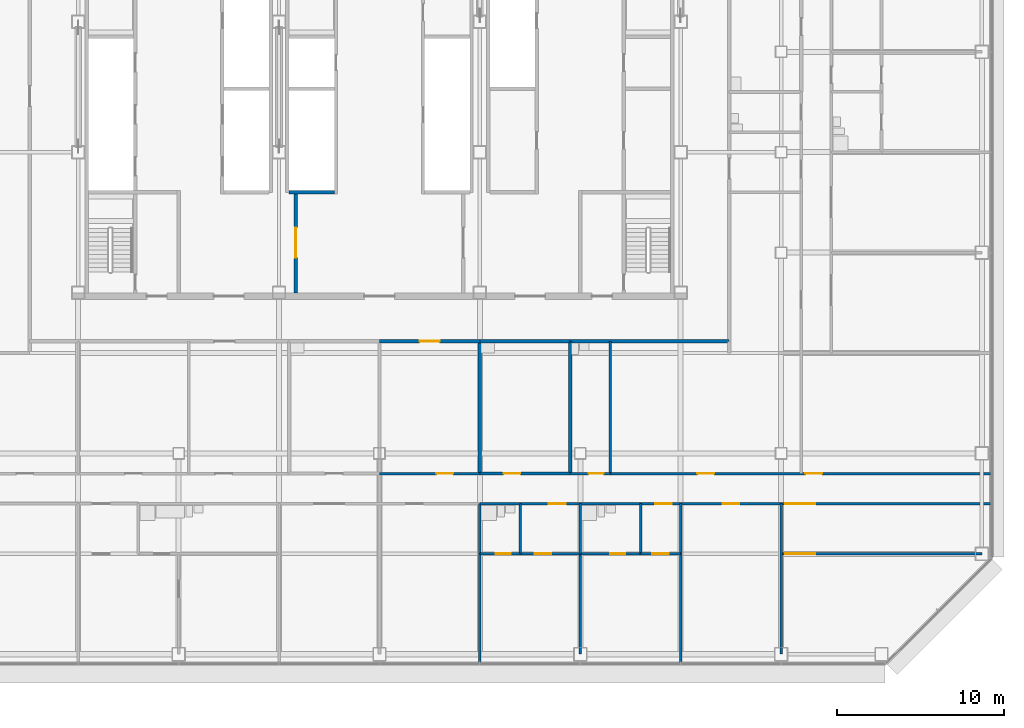
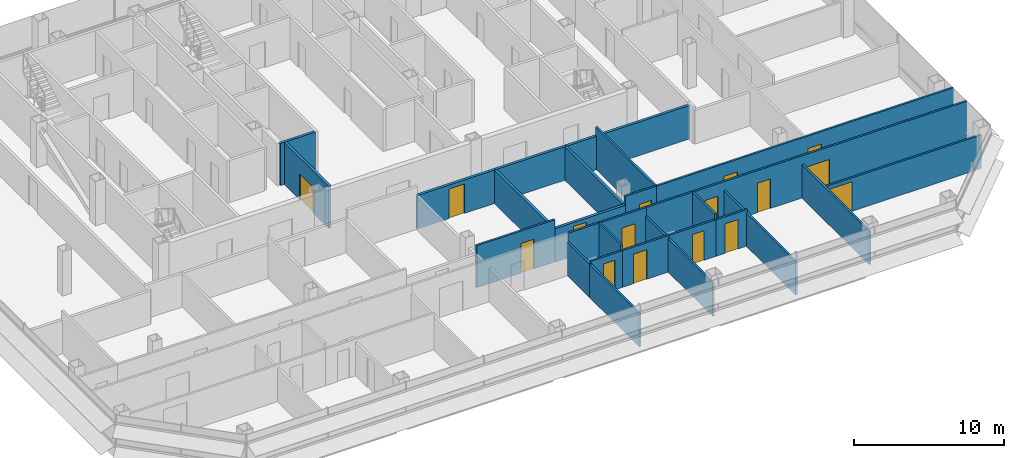
# One storey, part 20 of 25: 29 walls, 16 doors, 16 openings.
"""IFC4 building model written with IfcOpenShell, lengths in metres."""

from ifc_helpers import new_model, si_unit, direction, frame, frame_2d, origin, place, context, subcontext, project, spatial, rectangle, extrude, material, layer, layer_set, type_object, element, fill, save


model = new_model("IFC4")

# Units and contexts
model_context = context("Model", 3, precision=1e-05, world=origin(), true_north=direction((0.0, 1.0)))
body_context = subcontext(model_context, "Body", "Model", "MODEL_VIEW")
ifc_project = project(units=[si_unit("LENGTHUNIT", "METRE"), si_unit("AREAUNIT", "SQUARE_METRE"), si_unit("VOLUMEUNIT", "CUBIC_METRE"), si_unit("PLANEANGLEUNIT", "RADIAN"), si_unit("MASSUNIT", "GRAM", prefix="KILO")], contexts=[model_context])

# Site, building, storey
site_placement = place(None, origin())
site = spatial("IfcSite", under=ifc_project, at=site_placement, CompositionType="ELEMENT")
building_placement = place(site_placement, origin())
building = spatial("IfcBuilding", under=site, at=building_placement, Name="Sorahane Residences", CompositionType="ELEMENT")
storey_placement = place(building_placement, frame((0.0, 0.0, 126.800048828125)))
storey = spatial("IfcBuildingStorey", under=building, at=storey_placement, Name="L28", CompositionType="ELEMENT", Elevation=126.800048828125)

# Wall, opening, door
ifc_material_1 = material(Name="Concrete blockwork C20 wall", Category="masonry")
ifc_layer_1 = layer(ifc_material_1, 0.199951171875)
ifc_layer_set_1 = layer_set([ifc_layer_1], Name="Corridor wall 200 EI 120")
wall_type_1 = type_object("IfcWallType", Name="Corridor wall 200 EI 120", PredefinedType="SOLIDWALL", material=ifc_layer_set_1)
wall_1_placement = place(storey_placement, frame((24.0, 18.699951171875, 0.0), z_axis=(0.0, 0.0, 1.0), x_axis=(1.0, 0.0, 0.0)))
wall_1 = element("IfcWall", 1, at=wall_1_placement, inside=storey, type_object=wall_type_1, Name="L28 corridor wall", PredefinedType="SOLIDWALL", context=body_context, shape_type="SweptSolid", body=[
    extrude(rectangle(XDim=6.0, YDim=0.199951171875, at=frame_2d((3.0, 0.0))), origin(), (0.0, 0.0, 1.0), 2.719970703125),
])
opening_1_placement = place(wall_1_placement, frame((2.39990234375, 0.0, 0.0)))
opening_1 = element("IfcOpeningElement", 2, at=opening_1_placement, cuts=wall_1, Name="Opening L28-41", PredefinedType="OPENING", context=body_context, shape_type="SweptSolid", body=[
    extrude(rectangle(XDim=1.199951171875, YDim=2.39990234375, at=frame_2d((0.60009765625, 1.199951171875))), frame((0.0, 0.10986328125, 0.0), z_axis=(0.0, -1.0, 0.0), x_axis=(1.0, 0.0, 0.0)), (0.0, 0.0, 1.0), 0.219970703125),
])
ifc_material_2 = material(Name="Timber veneered fire door", Category="wood")
door_type_1 = type_object("IfcDoorType", Name="Flat entrance door 1200x2400 FD60", OperationType="NOTDEFINED", PredefinedType="DOOR", material=ifc_material_2)
door_1_placement = place(opening_1_placement, frame((1.199951171875, 0.0, 0.0), z_axis=(0.0, 0.0, 1.0), x_axis=(-1.0, 0.0, 0.0)))
door_1 = element("IfcDoor", 3, at=door_1_placement, inside=storey, type_object=door_type_1, Name="Flat entrance door L28-41", OperationType="SINGLE_SWING_LEFT", OverallHeight=2.39990234375, OverallWidth=1.199951171875, PredefinedType="DOOR", context=body_context, shape_type="SweptSolid", body=[
    extrude(rectangle(XDim=1.199951171875, YDim=2.39990234375, at=frame_2d((0.60009765625, 1.199951171875))), frame((0.0, 0.02490234375, 0.0), z_axis=(0.0, -1.0, 0.0), x_axis=(1.0, 0.0, 0.0)), (0.0, 0.0, 1.0), 0.050048828125),
])
fill(opening_1, door_1)

# Walls
wall_2_placement = place(storey_placement, frame((35.39990234375, 18.699951171875, 0.0), z_axis=(0.0, 0.0, 1.0), x_axis=(1.0, 0.0, 0.0)))
element("IfcWall", 4, at=wall_2_placement, inside=storey, type_object=wall_type_1, Name="L28 corridor wall", PredefinedType="SOLIDWALL", context=body_context, shape_type="SweptSolid", body=[
    extrude(rectangle(XDim=9.5, YDim=0.199951171875, at=frame_2d((4.75, 0.0))), origin(), (0.0, 0.0, 1.0), 2.719970703125),
])
ifc_material_3 = material(Name="Concrete blockwork C20 wall", Category="masonry")
ifc_layer_2 = layer(ifc_material_3, 0.199951171875)
ifc_layer_set_2 = layer_set([ifc_layer_2], Name="Kitchen wall 200 EI 180")
wall_type_2 = type_object("IfcWallType", Name="Kitchen wall 200 EI 180", PredefinedType="SOLIDWALL", material=ifc_layer_set_2)
for number, where, z_axis, x_axis, name in (
    (5, (30.0, 10.800048828125, 0.0), (0.0, 0.0, 1.0), (0.0, 1.0, 0.0), "L28 kitchen wall"),
    (6, (35.39990234375, 10.800048828125, 0.0), (0.0, 0.0, 1.0), (0.0, 1.0, 0.0), "L28 kitchen wall"),
):
    element("IfcWall", number, at=place(storey_placement, frame(where, z_axis=z_axis, x_axis=x_axis)), inside=storey, type_object=wall_type_2, Name=name, PredefinedType="SOLIDWALL", context=body_context, shape_type="SweptSolid", body=[
        extrude(rectangle(XDim=7.89990234375, YDim=0.199951171875, at=frame_2d((3.949951171875, 0.0))), origin(), (0.0, 0.0, 1.0), 2.719970703125),
    ])

# Wall, opening, door
wall_3_placement = place(storey_placement, frame((30.0, 10.800048828125, 0.0), z_axis=(0.0, 0.0, 1.0), x_axis=(1.0, 0.0, 0.0)))
wall_3 = element("IfcWall", 7, at=wall_3_placement, inside=storey, type_object=wall_type_2, Name="L28 kitchen wall", PredefinedType="SOLIDWALL", context=body_context, shape_type="SweptSolid", body=[
    extrude(rectangle(XDim=5.39990234375, YDim=0.199951171875, at=frame_2d((2.699951171875, 0.0))), origin(), (0.0, 0.0, 1.0), 2.719970703125),
])
opening_2_placement = place(wall_3_placement, frame((1.419921875, 0.0, 0.0)))
opening_2 = element("IfcOpeningElement", 8, at=opening_2_placement, cuts=wall_3, Name="Opening L28-14", PredefinedType="OPENING", context=body_context, shape_type="SweptSolid", body=[
    extrude(rectangle(XDim=1.0, YDim=2.39990234375, at=frame_2d((0.5, 1.199951171875))), frame((0.0, 0.10986328125, 0.0), z_axis=(0.0, -1.0, 0.0), x_axis=(1.0, 0.0, 0.0)), (0.0, 0.0, 1.0), 0.219970703125),
])
ifc_material_4 = material(Name="Steel", Category="steel")
door_type_2 = type_object("IfcDoorType", Name="Kitchen door 1000x2400 FD120", OperationType="NOTDEFINED", PredefinedType="DOOR", material=ifc_material_4)
door_2_placement = place(opening_2_placement, origin())
door_2 = element("IfcDoor", 9, at=door_2_placement, inside=storey, type_object=door_type_2, Name="Kitchen door L28-14", OperationType="SINGLE_SWING_RIGHT", OverallHeight=2.39990234375, OverallWidth=1.0, PredefinedType="DOOR", context=body_context, shape_type="SweptSolid", body=[
    extrude(rectangle(XDim=1.0, YDim=2.39990234375, at=frame_2d((0.5, 1.199951171875))), frame((0.0, 0.02490234375, 0.0), z_axis=(0.0, -1.0, 0.0), x_axis=(1.0, 0.0, 0.0)), (0.0, 0.0, 1.0), 0.050048828125),
])
fill(opening_2, door_2)

# Walls
wall_4_placement = place(storey_placement, frame((30.0, 18.699951171875, 0.0), z_axis=(0.0, 0.0, 1.0), x_axis=(1.0, 0.0, 0.0)))
element("IfcWall", 10, at=wall_4_placement, inside=storey, type_object=wall_type_2, Name="L28 kitchen wall", PredefinedType="SOLIDWALL", context=body_context, shape_type="SweptSolid", body=[
    extrude(rectangle(XDim=5.39990234375, YDim=0.199951171875, at=frame_2d((2.699951171875, 0.0))), origin(), (0.0, 0.0, 1.0), 2.719970703125),
])
ifc_material_5 = material(Name="Concrete C30", Category="concrete")
ifc_layer_3 = layer(ifc_material_5, 0.199951171875)
ifc_layer_set_3 = layer_set([ifc_layer_3], Name="Lift shaft wall 200 EI 120")
wall_type_3 = type_object("IfcWallType", Name="Lift shaft wall 200 EI 120", PredefinedType="SOLIDWALL", material=ifc_layer_set_3)
wall_5_placement = place(storey_placement, frame((18.60009765625, 27.60009765625, 0.0), z_axis=(0.0, 0.0, 1.0), x_axis=(1.0, 0.0, 0.0)))
element("IfcWall", 11, at=wall_5_placement, inside=storey, type_object=wall_type_3, Name="L28 lift shaft wall", PredefinedType="SOLIDWALL", context=body_context, shape_type="SweptSolid", body=[
    extrude(rectangle(XDim=2.699951171875, YDim=0.199951171875, at=frame_2d((1.35009765625, 0.0))), origin(), (0.0, 0.0, 1.0), 3.419921875),
])
ifc_material_6 = material(Name="Gypsum board partition on steel studs", Category="steel")
ifc_layer_4 = layer(ifc_material_6, 0.14990234375)
ifc_layer_set_4 = layer_set([ifc_layer_4], Name="Partition 150 EI 90")
wall_type_4 = type_object("IfcWallType", Name="Partition 150 EI 90", PredefinedType="PARTITIONING", material=ifc_layer_set_4)
wall_6_placement = place(storey_placement, frame((30.0, -0.60009765625, 0.0), z_axis=(0.0, 0.0, 1.0), x_axis=(0.0, 1.0, 0.0)))
element("IfcWall", 12, at=wall_6_placement, inside=storey, type_object=wall_type_4, Name="L28 partition", PredefinedType="PARTITIONING", context=body_context, shape_type="SweptSolid", body=[
    extrude(rectangle(XDim=6.60009765625, YDim=0.14990234375, at=frame_2d((3.300048828125, 0.0))), origin(), (0.0, 0.0, 1.0), 2.719970703125),
])
wall_7_placement = place(storey_placement, frame((36.0, 0.0, 0.0), z_axis=(0.0, 0.0, 1.0), x_axis=(0.0, 1.0, 0.0)))
element("IfcWall", 13, at=wall_7_placement, inside=storey, type_object=wall_type_4, Name="L28 partition", PredefinedType="PARTITIONING", context=body_context, shape_type="SweptSolid", body=[
    extrude(rectangle(XDim=6.0, YDim=0.14990234375, at=frame_2d((3.0, 0.0))), origin(), (0.0, 0.0, 1.0), 2.719970703125),
])
wall_8_placement = place(storey_placement, frame((42.0, -0.60009765625, 0.0), z_axis=(0.0, 0.0, 1.0), x_axis=(0.0, 1.0, 0.0)))
element("IfcWall", 14, at=wall_8_placement, inside=storey, type_object=wall_type_4, Name="L28 partition", PredefinedType="PARTITIONING", context=body_context, shape_type="SweptSolid", body=[
    extrude(rectangle(XDim=9.60009765625, YDim=0.14990234375, at=frame_2d((4.800048828125, 0.0))), origin(), (0.0, 0.0, 1.0), 2.719970703125),
])
wall_9_placement = place(storey_placement, frame((48.0, 0.0, 0.0), z_axis=(0.0, 0.0, 1.0), x_axis=(0.0, 1.0, 0.0)))
element("IfcWall", 15, at=wall_9_placement, inside=storey, type_object=wall_type_4, Name="L28 partition", PredefinedType="PARTITIONING", context=body_context, shape_type="SweptSolid", body=[
    extrude(rectangle(XDim=9.0, YDim=0.14990234375, at=frame_2d((4.5, 0.0))), origin(), (0.0, 0.0, 1.0), 2.719970703125),
])

# Wall, opening, door
wall_10_placement = place(storey_placement, frame((24.0, 10.800048828125, 0.0), z_axis=(0.0, 0.0, 1.0), x_axis=(1.0, 0.0, 0.0)))
wall_10 = element("IfcWall", 16, at=wall_10_placement, inside=storey, type_object=wall_type_4, Name="L28 partition", PredefinedType="PARTITIONING", context=body_context, shape_type="SweptSolid", body=[
    extrude(rectangle(XDim=6.0, YDim=0.14990234375, at=frame_2d((3.0, 0.0))), origin(), (0.0, 0.0, 1.0), 3.419921875),
])
opening_3_placement = place(wall_10_placement, frame((3.39990234375, 0.0, 0.0)))
opening_3 = element("IfcOpeningElement", 17, at=opening_3_placement, cuts=wall_10, Name="Opening L28-13", PredefinedType="OPENING", context=body_context, shape_type="SweptSolid", body=[
    extrude(rectangle(XDim=1.0, YDim=2.39990234375, at=frame_2d((0.5, 1.199951171875))), frame((0.0, 0.0849609375, 0.0), z_axis=(0.0, -1.0, 0.0), x_axis=(1.0, 0.0, 0.0)), (0.0, 0.0, 1.0), 0.169921875),
])
ifc_material_7 = material(Name="Timber veneered fire door", Category="wood")
door_type_3 = type_object("IfcDoorType", Name="Room door 1000x2400 FD30", OperationType="NOTDEFINED", PredefinedType="DOOR", material=ifc_material_7)
door_3_placement = place(opening_3_placement, frame((1.0, 0.0, 0.0), z_axis=(0.0, 0.0, 1.0), x_axis=(-1.0, 0.0, 0.0)))
door_3 = element("IfcDoor", 18, at=door_3_placement, inside=storey, type_object=door_type_3, Name="Room door L28-13", OperationType="SINGLE_SWING_RIGHT", OverallHeight=2.39990234375, OverallWidth=1.0, PredefinedType="DOOR", context=body_context, shape_type="SweptSolid", body=[
    extrude(rectangle(XDim=1.0, YDim=2.39990234375, at=frame_2d((0.5, 1.199951171875))), frame((0.0, 0.02490234375, 0.0), z_axis=(0.0, -1.0, 0.0), x_axis=(1.0, 0.0, 0.0)), (0.0, 0.0, 1.0), 0.050048828125),
])
fill(opening_3, door_3)

# Wall, openings, doors
wall_11_placement = place(storey_placement, frame((37.800048828125, 10.800048828125, 0.0), z_axis=(0.0, 0.0, 1.0), x_axis=(1.0, 0.0, 0.0)))
wall_11 = element("IfcWall", 19, at=wall_11_placement, inside=storey, type_object=wall_type_4, Name="L28 partition", PredefinedType="PARTITIONING", context=body_context, shape_type="SweptSolid", body=[
    extrude(rectangle(XDim=22.800048828125, YDim=0.14990234375, at=frame_2d((11.39990234375, 0.0))), origin(), (0.0, 0.0, 1.0), 3.419921875),
])
opening_4_placement = place(wall_11_placement, frame((5.199951171875, 0.0, 0.0)))
opening_4 = element("IfcOpeningElement", 20, at=opening_4_placement, cuts=wall_11, Name="Opening L28-16", PredefinedType="OPENING", context=body_context, shape_type="SweptSolid", body=[
    extrude(rectangle(XDim=1.0, YDim=2.39990234375, at=frame_2d((0.5, 1.199951171875))), frame((0.0, 0.0849609375, 0.0), z_axis=(0.0, -1.0, 0.0), x_axis=(1.0, 0.0, 0.0)), (0.0, 0.0, 1.0), 0.169921875),
])
opening_5_placement = place(wall_11_placement, frame((11.64990234375, 0.0, 0.0)))
opening_5 = element("IfcOpeningElement", 21, at=opening_5_placement, cuts=wall_11, Name="Opening L28-17", PredefinedType="OPENING", context=body_context, shape_type="SweptSolid", body=[
    extrude(rectangle(XDim=1.0, YDim=2.39990234375, at=frame_2d((0.5, 1.199951171875))), frame((0.0, 0.0849609375, 0.0), z_axis=(0.0, -1.0, 0.0), x_axis=(1.0, 0.0, 0.0)), (0.0, 0.0, 1.0), 0.169921875),
])
door_4_placement = place(opening_4_placement, origin())
door_4 = element("IfcDoor", 22, at=door_4_placement, inside=storey, type_object=door_type_3, Name="Room door L28-16", OperationType="SINGLE_SWING_LEFT", OverallHeight=2.39990234375, OverallWidth=1.0, PredefinedType="DOOR", context=body_context, shape_type="SweptSolid", body=[
    extrude(rectangle(XDim=1.0, YDim=2.39990234375, at=frame_2d((0.5, 1.199951171875))), frame((0.0, 0.02490234375, 0.0), z_axis=(0.0, -1.0, 0.0), x_axis=(1.0, 0.0, 0.0)), (0.0, 0.0, 1.0), 0.050048828125),
])
fill(opening_4, door_4)
door_5_placement = place(opening_5_placement, origin())
door_5 = element("IfcDoor", 23, at=door_5_placement, inside=storey, type_object=door_type_3, Name="Room door L28-17", OperationType="SINGLE_SWING_RIGHT", OverallHeight=2.39990234375, OverallWidth=1.0, PredefinedType="DOOR", context=body_context, shape_type="SweptSolid", body=[
    extrude(rectangle(XDim=1.0, YDim=2.39990234375, at=frame_2d((0.5, 1.199951171875))), frame((0.0, 0.02490234375, 0.0), z_axis=(0.0, -1.0, 0.0), x_axis=(1.0, 0.0, 0.0)), (0.0, 0.0, 1.0), 0.050048828125),
])
fill(opening_5, door_5)

# Wall, opening, door
wall_12_placement = place(storey_placement, frame((32.39990234375, 6.0, 0.0), z_axis=(0.0, 0.0, 1.0), x_axis=(1.0, 0.0, 0.0)))
wall_12 = element("IfcWall", 24, at=wall_12_placement, inside=storey, type_object=wall_type_4, Name="L28 partition", PredefinedType="PARTITIONING", context=body_context, shape_type="SweptSolid", body=[
    extrude(rectangle(XDim=3.60009765625, YDim=0.14990234375, at=frame_2d((1.800048828125, 0.0))), origin(), (0.0, 0.0, 1.0), 2.969970703125),
])
opening_6_placement = place(wall_12_placement, frame((0.8798828125, 0.0, 0.0)))
opening_6 = element("IfcOpeningElement", 25, at=opening_6_placement, cuts=wall_12, Name="Opening L28-23", PredefinedType="OPENING", context=body_context, shape_type="SweptSolid", body=[
    extrude(rectangle(XDim=1.0, YDim=2.39990234375, at=frame_2d((0.5, 1.199951171875))), frame((0.0, 0.0849609375, 0.0), z_axis=(0.0, -1.0, 0.0), x_axis=(1.0, 0.0, 0.0)), (0.0, 0.0, 1.0), 0.169921875),
])
door_6_placement = place(opening_6_placement, frame((1.0, 0.0, 0.0), z_axis=(0.0, 0.0, 1.0), x_axis=(-1.0, 0.0, 0.0)))
door_6 = element("IfcDoor", 26, at=door_6_placement, inside=storey, type_object=door_type_3, Name="Room door L28-23", OperationType="SINGLE_SWING_RIGHT", OverallHeight=2.39990234375, OverallWidth=1.0, PredefinedType="DOOR", context=body_context, shape_type="SweptSolid", body=[
    extrude(rectangle(XDim=1.0, YDim=2.39990234375, at=frame_2d((0.5, 1.199951171875))), frame((0.0, 0.02490234375, 0.0), z_axis=(0.0, -1.0, 0.0), x_axis=(1.0, 0.0, 0.0)), (0.0, 0.0, 1.0), 0.050048828125),
])
fill(opening_6, door_6)

wall_13_placement = place(storey_placement, frame((39.60009765625, 6.0, 0.0), z_axis=(0.0, 0.0, 1.0), x_axis=(1.0, 0.0, 0.0)))
wall_13 = element("IfcWall", 27, at=wall_13_placement, inside=storey, type_object=wall_type_4, Name="L28 partition", PredefinedType="PARTITIONING", context=body_context, shape_type="SweptSolid", body=[
    extrude(rectangle(XDim=2.39990234375, YDim=0.14990234375, at=frame_2d((1.199951171875, 0.0))), origin(), (0.0, 0.0, 1.0), 2.969970703125),
])
opening_7_placement = place(wall_13_placement, frame((0.699951171875, 0.0, 0.0)))
opening_7 = element("IfcOpeningElement", 28, at=opening_7_placement, cuts=wall_13, Name="Opening L28-25", PredefinedType="OPENING", context=body_context, shape_type="SweptSolid", body=[
    extrude(rectangle(XDim=1.0, YDim=2.39990234375, at=frame_2d((0.5, 1.199951171875))), frame((0.0, 0.0849609375, 0.0), z_axis=(0.0, -1.0, 0.0), x_axis=(1.0, 0.0, 0.0)), (0.0, 0.0, 1.0), 0.169921875),
])
door_7_placement = place(opening_7_placement, frame((1.0, 0.0, 0.0), z_axis=(0.0, 0.0, 1.0), x_axis=(-1.0, 0.0, 0.0)))
door_7 = element("IfcDoor", 29, at=door_7_placement, inside=storey, type_object=door_type_3, Name="Room door L28-25", OperationType="SINGLE_SWING_LEFT", OverallHeight=2.39990234375, OverallWidth=1.0, PredefinedType="DOOR", context=body_context, shape_type="SweptSolid", body=[
    extrude(rectangle(XDim=1.0, YDim=2.39990234375, at=frame_2d((0.5, 1.199951171875))), frame((0.0, 0.02490234375, 0.0), z_axis=(0.0, -1.0, 0.0), x_axis=(1.0, 0.0, 0.0)), (0.0, 0.0, 1.0), 0.050048828125),
])
fill(opening_7, door_7)

wall_14_placement = place(storey_placement, frame((48.0, 6.0, 0.0), z_axis=(0.0, 0.0, 1.0), x_axis=(1.0, 0.0, 0.0)))
wall_14 = element("IfcWall", 30, at=wall_14_placement, inside=storey, type_object=wall_type_4, Name="L28 partition", PredefinedType="PARTITIONING", context=body_context, shape_type="SweptSolid", body=[
    extrude(rectangle(XDim=12.0, YDim=0.14990234375, at=frame_2d((6.0, 0.0))), origin(), (0.0, 0.0, 1.0), 2.719970703125),
])
opening_8_placement = place(wall_14_placement, frame((0.25, 0.0, 0.0)))
opening_8 = element("IfcOpeningElement", 31, at=opening_8_placement, cuts=wall_14, Name="Opening L28-27", PredefinedType="OPENING", context=body_context, shape_type="SweptSolid", body=[
    extrude(rectangle(XDim=1.800048828125, YDim=2.39990234375, at=frame_2d((0.89990234375, 1.199951171875))), frame((0.0, 0.0849609375, 0.0), z_axis=(0.0, -1.0, 0.0), x_axis=(1.0, 0.0, 0.0)), (0.0, 0.0, 1.0), 0.169921875),
])
ifc_material_8 = material(Name="Timber veneered fire door", Category="wood")
door_type_4 = type_object("IfcDoorType", Name="Double door 1800x2400 FD30", OperationType="NOTDEFINED", PredefinedType="DOOR", material=ifc_material_8)
door_8_placement = place(opening_8_placement, frame((1.800048828125, 0.0, 0.0), z_axis=(0.0, 0.0, 1.0), x_axis=(-1.0, 0.0, 0.0)))
door_8 = element("IfcDoor", 32, at=door_8_placement, inside=storey, type_object=door_type_4, Name="Double door L28-27", OperationType="SINGLE_SWING_LEFT", OverallHeight=2.39990234375, OverallWidth=1.800048828125, PredefinedType="DOOR", context=body_context, shape_type="SweptSolid", body=[
    extrude(rectangle(XDim=1.800048828125, YDim=2.39990234375, at=frame_2d((0.89990234375, 1.199951171875))), frame((0.0, 0.02490234375, 0.0), z_axis=(0.0, -1.0, 0.0), x_axis=(1.0, 0.0, 0.0)), (0.0, 0.0, 1.0), 0.050048828125),
])
fill(opening_8, door_8)

wall_15_placement = place(storey_placement, frame((32.39990234375, 9.0, 0.0), z_axis=(0.0, 0.0, 1.0), x_axis=(1.0, 0.0, 0.0)))
wall_15 = element("IfcWall", 33, at=wall_15_placement, inside=storey, type_object=wall_type_4, Name="L28 partition", PredefinedType="PARTITIONING", context=body_context, shape_type="SweptSolid", body=[
    extrude(rectangle(XDim=3.60009765625, YDim=0.14990234375, at=frame_2d((1.800048828125, 0.0))), origin(), (0.0, 0.0, 1.0), 3.419921875),
])
opening_9_placement = place(wall_15_placement, frame((1.719970703125, 0.0, 0.0)))
opening_9 = element("IfcOpeningElement", 34, at=opening_9_placement, cuts=wall_15, Name="Opening L28-19", PredefinedType="OPENING", context=body_context, shape_type="SweptSolid", body=[
    extrude(rectangle(XDim=1.0, YDim=2.39990234375, at=frame_2d((0.5, 1.199951171875))), frame((0.0, 0.0849609375, 0.0), z_axis=(0.0, -1.0, 0.0), x_axis=(1.0, 0.0, 0.0)), (0.0, 0.0, 1.0), 0.169921875),
])
door_9_placement = place(opening_9_placement, frame((1.0, 0.0, 0.0), z_axis=(0.0, 0.0, 1.0), x_axis=(-1.0, 0.0, 0.0)))
door_9 = element("IfcDoor", 35, at=door_9_placement, inside=storey, type_object=door_type_3, Name="Room door L28-19", OperationType="SINGLE_SWING_LEFT", OverallHeight=2.39990234375, OverallWidth=1.0, PredefinedType="DOOR", context=body_context, shape_type="SweptSolid", body=[
    extrude(rectangle(XDim=1.0, YDim=2.39990234375, at=frame_2d((0.5, 1.199951171875))), frame((0.0, 0.02490234375, 0.0), z_axis=(0.0, -1.0, 0.0), x_axis=(1.0, 0.0, 0.0)), (0.0, 0.0, 1.0), 0.050048828125),
])
fill(opening_9, door_9)

# Wall, openings, doors
wall_16_placement = place(storey_placement, frame((39.60009765625, 9.0, 0.0), z_axis=(0.0, 0.0, 1.0), x_axis=(1.0, 0.0, 0.0)))
wall_16 = element("IfcWall", 36, at=wall_16_placement, inside=storey, type_object=wall_type_4, Name="L28 partition", PredefinedType="PARTITIONING", context=body_context, shape_type="SweptSolid", body=[
    extrude(rectangle(XDim=21.0, YDim=0.14990234375, at=frame_2d((10.5, 0.0))), origin(), (0.0, 0.0, 1.0), 3.419921875),
])
opening_10_placement = place(wall_16_placement, frame((0.8798828125, 0.0, 0.0)))
opening_10 = element("IfcOpeningElement", 37, at=opening_10_placement, cuts=wall_16, Name="Opening L28-20", PredefinedType="OPENING", context=body_context, shape_type="SweptSolid", body=[
    extrude(rectangle(XDim=1.0, YDim=2.39990234375, at=frame_2d((0.5, 1.199951171875))), frame((0.0, 0.0849609375, 0.0), z_axis=(0.0, -1.0, 0.0), x_axis=(1.0, 0.0, 0.0)), (0.0, 0.0, 1.0), 0.169921875),
])
opening_11_placement = place(wall_16_placement, frame((4.89990234375, 0.0, 0.0)))
opening_11 = element("IfcOpeningElement", 38, at=opening_11_placement, cuts=wall_16, Name="Opening L28-21", PredefinedType="OPENING", context=body_context, shape_type="SweptSolid", body=[
    extrude(rectangle(XDim=1.0, YDim=2.39990234375, at=frame_2d((0.5, 1.199951171875))), frame((0.0, 0.0849609375, 0.0), z_axis=(0.0, -1.0, 0.0), x_axis=(1.0, 0.0, 0.0)), (0.0, 0.0, 1.0), 0.169921875),
])
opening_12_placement = place(wall_16_placement, frame((8.64990234375, 0.0, 0.0)))
opening_12 = element("IfcOpeningElement", 39, at=opening_12_placement, cuts=wall_16, Name="Opening L28-22", PredefinedType="OPENING", context=body_context, shape_type="SweptSolid", body=[
    extrude(rectangle(XDim=1.800048828125, YDim=2.39990234375, at=frame_2d((0.89990234375, 1.199951171875))), frame((0.0, 0.0849609375, 0.0), z_axis=(0.0, -1.0, 0.0), x_axis=(1.0, 0.0, 0.0)), (0.0, 0.0, 1.0), 0.169921875),
])
door_10_placement = place(opening_12_placement, frame((1.800048828125, 0.0, 0.0), z_axis=(0.0, 0.0, 1.0), x_axis=(-1.0, 0.0, 0.0)))
door_10 = element("IfcDoor", 40, at=door_10_placement, inside=storey, type_object=door_type_4, Name="Double door L28-22", OperationType="SINGLE_SWING_LEFT", OverallHeight=2.39990234375, OverallWidth=1.800048828125, PredefinedType="DOOR", context=body_context, shape_type="SweptSolid", body=[
    extrude(rectangle(XDim=1.800048828125, YDim=2.39990234375, at=frame_2d((0.89990234375, 1.199951171875))), frame((0.0, 0.02490234375, 0.0), z_axis=(0.0, -1.0, 0.0), x_axis=(1.0, 0.0, 0.0)), (0.0, 0.0, 1.0), 0.050048828125),
])
fill(opening_12, door_10)
door_11_placement = place(opening_10_placement, frame((1.0, 0.0, 0.0), z_axis=(0.0, 0.0, 1.0), x_axis=(-1.0, 0.0, 0.0)))
door_11 = element("IfcDoor", 41, at=door_11_placement, inside=storey, type_object=door_type_3, Name="Room door L28-20", OperationType="SINGLE_SWING_LEFT", OverallHeight=2.39990234375, OverallWidth=1.0, PredefinedType="DOOR", context=body_context, shape_type="SweptSolid", body=[
    extrude(rectangle(XDim=1.0, YDim=2.39990234375, at=frame_2d((0.5, 1.199951171875))), frame((0.0, 0.02490234375, 0.0), z_axis=(0.0, -1.0, 0.0), x_axis=(1.0, 0.0, 0.0)), (0.0, 0.0, 1.0), 0.050048828125),
])
fill(opening_10, door_11)
door_12_placement = place(opening_11_placement, frame((1.0, 0.0, 0.0), z_axis=(0.0, 0.0, 1.0), x_axis=(-1.0, 0.0, 0.0)))
door_12 = element("IfcDoor", 42, at=door_12_placement, inside=storey, type_object=door_type_3, Name="Room door L28-21", OperationType="SINGLE_SWING_RIGHT", OverallHeight=2.39990234375, OverallWidth=1.0, PredefinedType="DOOR", context=body_context, shape_type="SweptSolid", body=[
    extrude(rectangle(XDim=1.0, YDim=2.39990234375, at=frame_2d((0.5, 1.199951171875))), frame((0.0, 0.02490234375, 0.0), z_axis=(0.0, -1.0, 0.0), x_axis=(1.0, 0.0, 0.0)), (0.0, 0.0, 1.0), 0.050048828125),
])
fill(opening_11, door_12)

# Wall, opening, door
ifc_material_9 = material(Name="Concrete C30", Category="concrete")
ifc_layer_5 = layer(ifc_material_9, 0.199951171875)
ifc_layer_set_5 = layer_set([ifc_layer_5], Name="Service room partition 200 EI 60")
wall_type_5 = type_object("IfcWallType", Name="Service room partition 200 EI 60", PredefinedType="PARTITIONING", material=ifc_layer_set_5)
wall_17_placement = place(storey_placement, frame((19.0, 21.60009765625, 0.0), z_axis=(0.0, 0.0, 1.0), x_axis=(0.0, 1.0, 0.0)))
wall_17 = element("IfcWall", 43, at=wall_17_placement, inside=storey, type_object=wall_type_5, Name="L28 service room wall", PredefinedType="PARTITIONING", context=body_context, shape_type="SweptSolid", body=[
    extrude(rectangle(XDim=6.0, YDim=0.199951171875, at=frame_2d((3.0, 0.0))), origin(), (0.0, 0.0, 1.0), 3.419921875),
])
opening_13_placement = place(wall_17_placement, frame((2.10009765625, 0.0, 0.0)))
opening_13 = element("IfcOpeningElement", 44, at=opening_13_placement, cuts=wall_17, Name="Opening L28-C02", PredefinedType="OPENING", context=body_context, shape_type="SweptSolid", body=[
    extrude(rectangle(XDim=1.800048828125, YDim=2.10009765625, at=frame_2d((0.89990234375, 1.050048828125))), frame((0.0, 0.10986328125, 0.0), z_axis=(0.0, -1.0, 0.0), x_axis=(1.0, 0.0, 0.0)), (0.0, 0.0, 1.0), 0.219970703125),
])
ifc_material_10 = material(Name="Steel", Category="steel")
door_type_5 = type_object("IfcDoorType", Name="Waiting hall door 1800x2100 FD60", OperationType="NOTDEFINED", PredefinedType="DOOR", material=ifc_material_10)
door_13_placement = place(opening_13_placement, origin())
door_13 = element("IfcDoor", 45, at=door_13_placement, inside=storey, type_object=door_type_5, Name="Waiting hall door Residents' waiting hall west L28", OperationType="SINGLE_SWING_LEFT", OverallHeight=2.10009765625, OverallWidth=1.800048828125, PredefinedType="DOOR", context=body_context, shape_type="SweptSolid", body=[
    extrude(rectangle(XDim=1.800048828125, YDim=2.10009765625, at=frame_2d((0.89990234375, 1.050048828125))), frame((0.0, 0.02490234375, 0.0), z_axis=(0.0, -1.0, 0.0), x_axis=(1.0, 0.0, 0.0)), (0.0, 0.0, 1.0), 0.050048828125),
])
fill(opening_13, door_13)

# Walls
ifc_material_11 = material(Name="Gypsum board partition on steel studs", Category="steel")
ifc_layer_6 = layer(ifc_material_11, 0.14990234375)
ifc_layer_set_6 = layer_set([ifc_layer_6], Name="Wet wall 150 EI 90")
wall_type_6 = type_object("IfcWallType", Name="Wet wall 150 EI 90", PredefinedType="PARTITIONING", material=ifc_layer_set_6)
wall_18_placement = place(storey_placement, frame((30.0, 6.0, 0.0), z_axis=(0.0, 0.0, 1.0), x_axis=(0.0, 1.0, 0.0)))
element("IfcWall", 46, at=wall_18_placement, inside=storey, type_object=wall_type_6, Name="L28 wet wall", PredefinedType="PARTITIONING", context=body_context, shape_type="SweptSolid", body=[
    extrude(rectangle(XDim=3.0, YDim=0.14990234375, at=frame_2d((1.5, 0.0))), origin(), (0.0, 0.0, 1.0), 2.719970703125),
])
wall_19_placement = place(storey_placement, frame((32.39990234375, 6.0, 0.0), z_axis=(0.0, 0.0, 1.0), x_axis=(0.0, 1.0, 0.0)))
element("IfcWall", 47, at=wall_19_placement, inside=storey, type_object=wall_type_6, Name="L28 wet wall", PredefinedType="PARTITIONING", context=body_context, shape_type="SweptSolid", body=[
    extrude(rectangle(XDim=3.0, YDim=0.14990234375, at=frame_2d((1.5, 0.0))), origin(), (0.0, 0.0, 1.0), 3.419921875),
])
wall_20_placement = place(storey_placement, frame((36.0, 6.0, 0.0), z_axis=(0.0, 0.0, 1.0), x_axis=(0.0, 1.0, 0.0)))
element("IfcWall", 48, at=wall_20_placement, inside=storey, type_object=wall_type_6, Name="L28 wet wall", PredefinedType="PARTITIONING", context=body_context, shape_type="SweptSolid", body=[
    extrude(rectangle(XDim=3.0, YDim=0.14990234375, at=frame_2d((1.5, 0.0))), origin(), (0.0, 0.0, 1.0), 2.719970703125),
])
wall_21_placement = place(storey_placement, frame((37.800048828125, 10.800048828125, 0.0), z_axis=(0.0, 0.0, 1.0), x_axis=(0.0, 1.0, 0.0)))
element("IfcWall", 49, at=wall_21_placement, inside=storey, type_object=wall_type_6, Name="L28 wet wall", PredefinedType="PARTITIONING", context=body_context, shape_type="SweptSolid", body=[
    extrude(rectangle(XDim=7.89990234375, YDim=0.14990234375, at=frame_2d((3.949951171875, 0.0))), origin(), (0.0, 0.0, 1.0), 3.419921875),
])
wall_22_placement = place(storey_placement, frame((39.60009765625, 6.0, 0.0), z_axis=(0.0, 0.0, 1.0), x_axis=(0.0, 1.0, 0.0)))
element("IfcWall", 50, at=wall_22_placement, inside=storey, type_object=wall_type_6, Name="L28 wet wall", PredefinedType="PARTITIONING", context=body_context, shape_type="SweptSolid", body=[
    extrude(rectangle(XDim=3.0, YDim=0.14990234375, at=frame_2d((1.5, 0.0))), origin(), (0.0, 0.0, 1.0), 3.419921875),
])

# Wall, opening, door
wall_23_placement = place(storey_placement, frame((35.39990234375, 10.800048828125, 0.0), z_axis=(0.0, 0.0, 1.0), x_axis=(1.0, 0.0, 0.0)))
wall_23 = element("IfcWall", 51, at=wall_23_placement, inside=storey, type_object=wall_type_6, Name="L28 wet wall", PredefinedType="PARTITIONING", context=body_context, shape_type="SweptSolid", body=[
    extrude(rectangle(XDim=2.400146484375, YDim=0.14990234375, at=frame_2d((1.2001953125, 0.0))), origin(), (0.0, 0.0, 1.0), 3.419921875),
])
opening_14_placement = place(wall_23_placement, frame((1.10009765625, 0.0, 0.0)))
opening_14 = element("IfcOpeningElement", 52, at=opening_14_placement, cuts=wall_23, Name="Opening L28-15", PredefinedType="OPENING", context=body_context, shape_type="SweptSolid", body=[
    extrude(rectangle(XDim=0.89990234375, YDim=2.39990234375, at=frame_2d((0.449951171875, 1.199951171875))), frame((0.0, 0.0849609375, 0.0), z_axis=(0.0, -1.0, 0.0), x_axis=(1.0, 0.0, 0.0)), (0.0, 0.0, 1.0), 0.169921875),
])
ifc_material_12 = material(Name="Timber veneered fire door", Category="wood")
door_type_6 = type_object("IfcDoorType", Name="Bathroom door 900x2400 FD30", OperationType="NOTDEFINED", PredefinedType="DOOR", material=ifc_material_12)
door_14_placement = place(opening_14_placement, frame((0.89990234375, 0.0, 0.0), z_axis=(0.0, 0.0, 1.0), x_axis=(-1.0, 0.0, 0.0)))
door_14 = element("IfcDoor", 53, at=door_14_placement, inside=storey, type_object=door_type_6, Name="Bathroom door L28-15", OperationType="SINGLE_SWING_RIGHT", OverallHeight=2.39990234375, OverallWidth=0.89990234375, PredefinedType="DOOR", context=body_context, shape_type="SweptSolid", body=[
    extrude(rectangle(XDim=0.89990234375, YDim=2.39990234375, at=frame_2d((0.449951171875, 1.199951171875))), frame((0.0, 0.02490234375, 0.0), z_axis=(0.0, -1.0, 0.0), x_axis=(1.0, 0.0, 0.0)), (0.0, 0.0, 1.0), 0.050048828125),
])
fill(opening_14, door_14)

wall_24_placement = place(storey_placement, frame((30.0, 6.0, 0.0), z_axis=(0.0, 0.0, 1.0), x_axis=(1.0, 0.0, 0.0)))
wall_24 = element("IfcWall", 54, at=wall_24_placement, inside=storey, type_object=wall_type_6, Name="L28 wet wall", PredefinedType="PARTITIONING", context=body_context, shape_type="SweptSolid", body=[
    extrude(rectangle(XDim=2.39990234375, YDim=0.14990234375, at=frame_2d((1.199951171875, 0.0))), origin(), (0.0, 0.0, 1.0), 2.969970703125),
])
opening_15_placement = place(wall_24_placement, frame((0.949951171875, 0.0, 0.0)))
opening_15 = element("IfcOpeningElement", 55, at=opening_15_placement, cuts=wall_24, Name="Opening L28-24", PredefinedType="OPENING", context=body_context, shape_type="SweptSolid", body=[
    extrude(rectangle(XDim=0.89990234375, YDim=2.39990234375, at=frame_2d((0.449951171875, 1.199951171875))), frame((0.0, 0.0849609375, 0.0), z_axis=(0.0, -1.0, 0.0), x_axis=(1.0, 0.0, 0.0)), (0.0, 0.0, 1.0), 0.169921875),
])
door_15_placement = place(opening_15_placement, frame((0.89990234375, 0.0, 0.0), z_axis=(0.0, 0.0, 1.0), x_axis=(-1.0, 0.0, 0.0)))
door_15 = element("IfcDoor", 56, at=door_15_placement, inside=storey, type_object=door_type_6, Name="Bathroom door L28-24", OperationType="SINGLE_SWING_RIGHT", OverallHeight=2.39990234375, OverallWidth=0.89990234375, PredefinedType="DOOR", context=body_context, shape_type="SweptSolid", body=[
    extrude(rectangle(XDim=0.89990234375, YDim=2.39990234375, at=frame_2d((0.449951171875, 1.199951171875))), frame((0.0, 0.02490234375, 0.0), z_axis=(0.0, -1.0, 0.0), x_axis=(1.0, 0.0, 0.0)), (0.0, 0.0, 1.0), 0.050048828125),
])
fill(opening_15, door_15)

wall_25_placement = place(storey_placement, frame((36.0, 6.0, 0.0), z_axis=(0.0, 0.0, 1.0), x_axis=(1.0, 0.0, 0.0)))
wall_25 = element("IfcWall", 57, at=wall_25_placement, inside=storey, type_object=wall_type_6, Name="L28 wet wall", PredefinedType="PARTITIONING", context=body_context, shape_type="SweptSolid", body=[
    extrude(rectangle(XDim=3.60009765625, YDim=0.14990234375, at=frame_2d((1.800048828125, 0.0))), origin(), (0.0, 0.0, 1.0), 2.969970703125),
])
opening_16_placement = place(wall_25_placement, frame((1.7900390625, 0.0, 0.0)))
opening_16 = element("IfcOpeningElement", 58, at=opening_16_placement, cuts=wall_25, Name="Opening L28-26", PredefinedType="OPENING", context=body_context, shape_type="SweptSolid", body=[
    extrude(rectangle(XDim=0.89990234375, YDim=2.39990234375, at=frame_2d((0.449951171875, 1.199951171875))), frame((0.0, 0.0849609375, 0.0), z_axis=(0.0, -1.0, 0.0), x_axis=(1.0, 0.0, 0.0)), (0.0, 0.0, 1.0), 0.169921875),
])
door_16_placement = place(opening_16_placement, frame((0.89990234375, 0.0, 0.0), z_axis=(0.0, 0.0, 1.0), x_axis=(-1.0, 0.0, 0.0)))
door_16 = element("IfcDoor", 59, at=door_16_placement, inside=storey, type_object=door_type_6, Name="Bathroom door L28-26", OperationType="SINGLE_SWING_LEFT", OverallHeight=2.39990234375, OverallWidth=0.89990234375, PredefinedType="DOOR", context=body_context, shape_type="SweptSolid", body=[
    extrude(rectangle(XDim=0.89990234375, YDim=2.39990234375, at=frame_2d((0.449951171875, 1.199951171875))), frame((0.0, 0.02490234375, 0.0), z_axis=(0.0, -1.0, 0.0), x_axis=(1.0, 0.0, 0.0)), (0.0, 0.0, 1.0), 0.050048828125),
])
fill(opening_16, door_16)

# Walls
wall_26_placement = place(storey_placement, frame((30.0, 9.0, 0.0), z_axis=(0.0, 0.0, 1.0), x_axis=(1.0, 0.0, 0.0)))
element("IfcWall", 60, at=wall_26_placement, inside=storey, type_object=wall_type_6, Name="L28 wet wall", PredefinedType="PARTITIONING", context=body_context, shape_type="SweptSolid", body=[
    extrude(rectangle(XDim=2.39990234375, YDim=0.14990234375, at=frame_2d((1.199951171875, 0.0))), origin(), (0.0, 0.0, 1.0), 3.419921875),
])
wall_27_placement = place(storey_placement, frame((36.0, 9.0, 0.0), z_axis=(0.0, 0.0, 1.0), x_axis=(1.0, 0.0, 0.0)))
element("IfcWall", 61, at=wall_27_placement, inside=storey, type_object=wall_type_6, Name="L28 wet wall", PredefinedType="PARTITIONING", context=body_context, shape_type="SweptSolid", body=[
    extrude(rectangle(XDim=3.60009765625, YDim=0.14990234375, at=frame_2d((1.800048828125, 0.0))), origin(), (0.0, 0.0, 1.0), 3.419921875),
])

save(model, "model.ifc")
